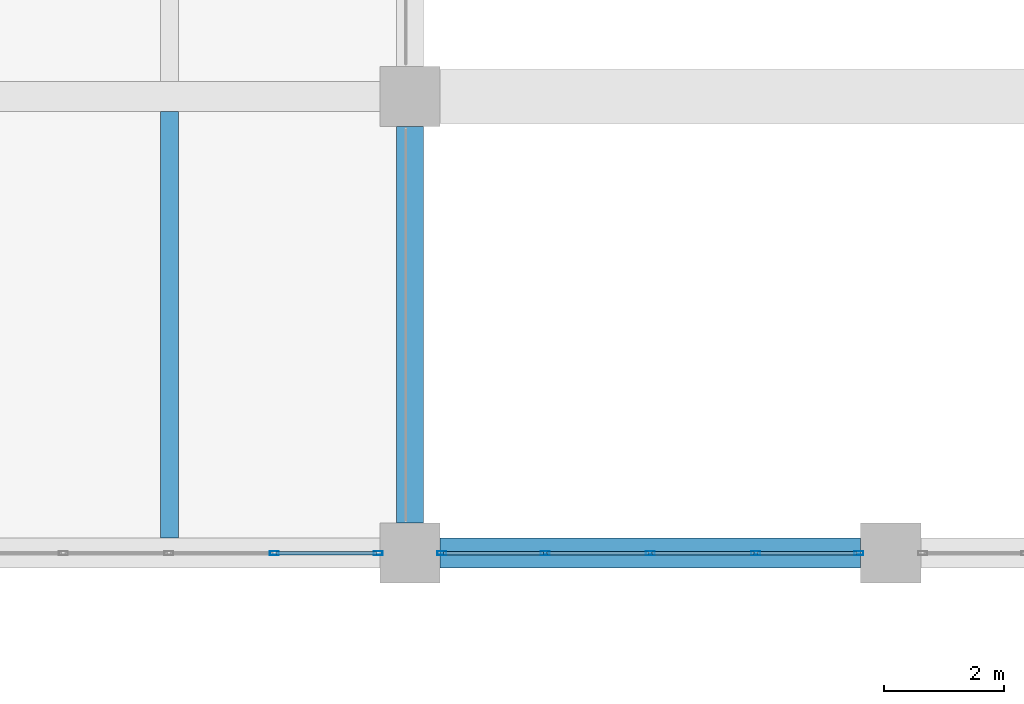
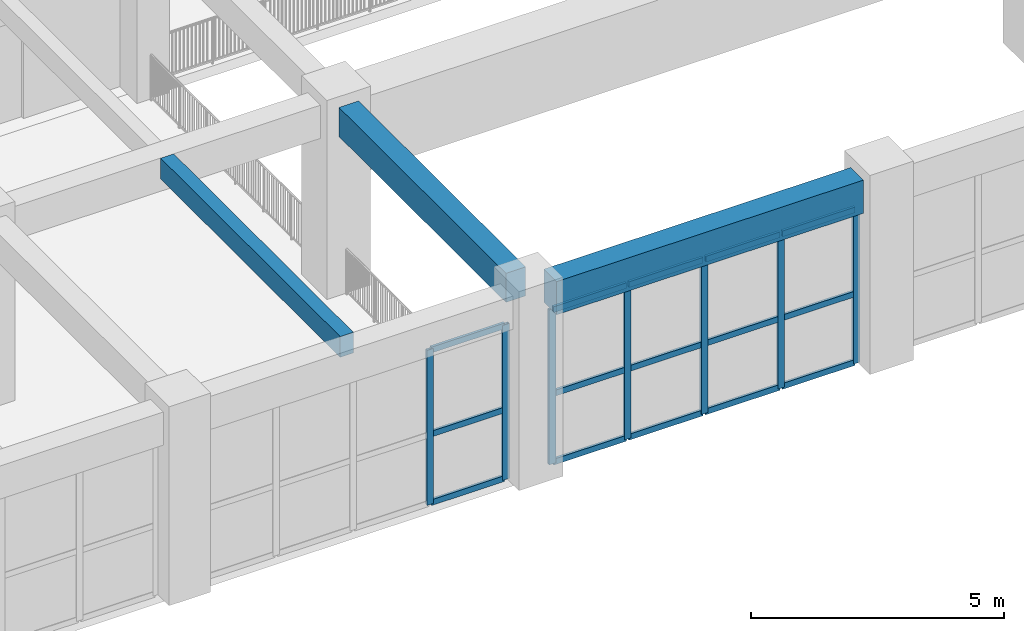
# One storey, part 21 of 101: 22 members, 3 beams, 2 elements without a shape of their own.
"""IFC4 building model written with IfcOpenShell, lengths in metres."""

from ifc_helpers import new_model, si_unit, direction, frame, origin, origin_2d, place, context, subcontext, project, spatial, rectangle, hollow_rectangle, extrude, material, material_profile, profile_set, type_object, element, aggregate, save


model = new_model("IFC4")

# Units and contexts
model_context = context("Model", 3, precision=1e-05, world=origin(), true_north=direction((0.0, 1.0)))
body_context = subcontext(model_context, "Body", "Model", "MODEL_VIEW")
ifc_project = project(units=[si_unit("LENGTHUNIT", "METRE"), si_unit("AREAUNIT", "SQUARE_METRE"), si_unit("VOLUMEUNIT", "CUBIC_METRE"), si_unit("PLANEANGLEUNIT", "RADIAN"), si_unit("MASSUNIT", "GRAM", prefix="KILO")], contexts=[model_context])

# Site, building, storey
site_placement = place(None, origin())
site = spatial("IfcSite", under=ifc_project, at=site_placement, CompositionType="ELEMENT")
building_placement = place(site_placement, origin())
building = spatial("IfcBuilding", under=site, at=building_placement, Name="Zantavel Square City Hall", CompositionType="ELEMENT")
storey_placement = place(building_placement, frame((0.0, 0.0, 5.39990234375)))
storey = spatial("IfcBuildingStorey", under=building, at=storey_placement, Name="L02", CompositionType="ELEMENT", Elevation=5.39990234375)

# Curtain wall, members
ifc_material_1 = material(Name="Anodised aluminium 6063-T6", Category="aluminium")
curtain_wall_type_1 = type_object("IfcCurtainWallType", Name="Curtain Wall TRV1 7000x3740", PredefinedType="USERDEFINED", material=ifc_material_1)
curtain_wall_1_placement = place(storey_placement, origin())
curtain_wall_1 = element("IfcCurtainWall", 1, at=curtain_wall_1_placement, inside=storey, type_object=curtain_wall_type_1, Name="L02 Glazed Curtain Wall CW-L02-048", ObjectType="GLAZED CURTAIN WALL", PredefinedType="USERDEFINED")
ifc_material_profile_1 = material_profile(ifc_material_1, hollow_rectangle(XDim=0.06494140625, YDim=0.14990234375, WallThickness=0.00390625, at=origin_2d()), Name="ALU 65x150x4")
ifc_profile_set_1 = profile_set([ifc_material_profile_1], Name="Anodised aluminium 6063-T6")
member_type_1 = type_object("IfcMemberType", Name="CW Mullion ALU 65x150x4", PredefinedType="MULLION", material=ifc_profile_set_1)
member_1_placement = place(storey_placement, frame((79.469970703125, 30.39990234375, 0.0), z_axis=(0.0, 0.0, 1.0), x_axis=(0.0, -1.0, 0.0)))
member_1 = element("IfcMember", 2, at=member_1_placement, type_object=member_type_1, Name="CW-048 mullion 1", PredefinedType="MULLION", context=body_context, shape_type="SweptSolid", body=[
    extrude(hollow_rectangle(XDim=0.06494140625, YDim=0.14990234375, WallThickness=0.00390625, at=origin_2d()), origin(), (0.0, 0.0, 1.0), 3.739990234375),
])
member_2_placement = place(storey_placement, frame((77.75, 30.39990234375, 0.0), z_axis=(0.0, 0.0, 1.0), x_axis=(0.0, -1.0, 0.0)))
member_2 = element("IfcMember", 3, at=member_2_placement, type_object=member_type_1, Name="CW-048 mullion 2", PredefinedType="MULLION", context=body_context, shape_type="SweptSolid", body=[
    extrude(hollow_rectangle(XDim=0.06494140625, YDim=0.14990234375, WallThickness=0.00390625, at=origin_2d()), origin(), (0.0, 0.0, 1.0), 3.739990234375),
])
member_3_placement = place(storey_placement, frame((76.0, 30.39990234375, 0.0), z_axis=(0.0, 0.0, 1.0), x_axis=(0.0, -1.0, 0.0)))
member_3 = element("IfcMember", 4, at=member_3_placement, type_object=member_type_1, Name="CW-048 mullion 3", PredefinedType="MULLION", context=body_context, shape_type="SweptSolid", body=[
    extrude(hollow_rectangle(XDim=0.06494140625, YDim=0.14990234375, WallThickness=0.00390625, at=origin_2d()), origin(), (0.0, 0.0, 1.0), 3.739990234375),
])
member_4_placement = place(storey_placement, frame((74.25, 30.39990234375, 0.0), z_axis=(0.0, 0.0, 1.0), x_axis=(0.0, -1.0, 0.0)))
member_4 = element("IfcMember", 5, at=member_4_placement, type_object=member_type_1, Name="CW-048 mullion 4", PredefinedType="MULLION", context=body_context, shape_type="SweptSolid", body=[
    extrude(hollow_rectangle(XDim=0.06494140625, YDim=0.14990234375, WallThickness=0.00390625, at=origin_2d()), origin(), (0.0, 0.0, 1.0), 3.739990234375),
])
member_5_placement = place(storey_placement, frame((72.530029296875, 30.39990234375, 0.0), z_axis=(0.0, 0.0, 1.0), x_axis=(0.0, -1.0, 0.0)))
member_5 = element("IfcMember", 6, at=member_5_placement, type_object=member_type_1, Name="CW-048 mullion 5", PredefinedType="MULLION", context=body_context, shape_type="SweptSolid", body=[
    extrude(hollow_rectangle(XDim=0.06494140625, YDim=0.14990234375, WallThickness=0.00390625, at=origin_2d()), origin(), (0.0, 0.0, 1.0), 3.739990234375),
])

curtain_wall_type_2 = type_object("IfcCurtainWallType", Name="Curtain Wall TRV1 7025x3740", PredefinedType="USERDEFINED", material=ifc_material_1)
curtain_wall_2_placement = place(storey_placement, origin())
curtain_wall_2 = element("IfcCurtainWall", 7, at=curtain_wall_2_placement, inside=storey, type_object=curtain_wall_type_2, Name="L02 Glazed Curtain Wall CW-L02-049", ObjectType="GLAZED CURTAIN WALL", PredefinedType="USERDEFINED")
member_6_placement = place(storey_placement, frame((71.469970703125, 30.39990234375, 0.0), z_axis=(0.0, 0.0, 1.0), x_axis=(0.0, -1.0, 0.0)))
member_6 = element("IfcMember", 8, at=member_6_placement, type_object=member_type_1, Name="CW-049 mullion 1", PredefinedType="MULLION", context=body_context, shape_type="SweptSolid", body=[
    extrude(hollow_rectangle(XDim=0.06494140625, YDim=0.14990234375, WallThickness=0.00390625, at=origin_2d()), origin(), (0.0, 0.0, 1.0), 3.739990234375),
])
member_7_placement = place(storey_placement, frame((69.74365234375, 30.39990234375, 0.0), z_axis=(0.0, 0.0, 1.0), x_axis=(0.0, -1.0, 0.0)))
member_7 = element("IfcMember", 9, at=member_7_placement, type_object=member_type_1, Name="CW-049 mullion 2", PredefinedType="MULLION", context=body_context, shape_type="SweptSolid", body=[
    extrude(hollow_rectangle(XDim=0.06494140625, YDim=0.14990234375, WallThickness=0.00390625, at=origin_2d()), origin(), (0.0, 0.0, 1.0), 3.739990234375),
])

# Member
ifc_material_profile_2 = material_profile(ifc_material_1, hollow_rectangle(XDim=0.06005859375, YDim=0.139892578125, WallThickness=0.00390625, at=origin_2d()), Name="ALU 60x140x4")
ifc_profile_set_2 = profile_set([ifc_material_profile_2], Name="Anodised aluminium 6063-T6")
member_type_2 = type_object("IfcMemberType", Name="CW Transom ALU 60x140x4", PredefinedType="USERDEFINED", material=ifc_profile_set_2)
member_8_placement = place(storey_placement, frame((79.43994140625, 30.39990234375, 0.030029296875), z_axis=(-1.0, 0.0, 0.0), x_axis=(0.0, -1.0, 0.0)))
member_8 = element("IfcMember", 10, at=member_8_placement, type_object=member_type_2, Name="CW-048 transom 1.1", ObjectType="TRANSOM", PredefinedType="USERDEFINED", context=body_context, shape_type="SweptSolid", body=[
    extrude(hollow_rectangle(XDim=0.06005859375, YDim=0.139892578125, WallThickness=0.00390625, at=origin_2d()), origin(), (0.0, 0.0, 1.0), 1.659912109375),
])

member_9_placement = place(storey_placement, frame((79.43994140625, 30.39990234375, 1.68310546875), z_axis=(-1.0, 0.0, 0.0), x_axis=(0.0, -1.0, 0.0)))
member_9 = element("IfcMember", 11, at=member_9_placement, type_object=member_type_2, Name="CW-048 transom 1.2", ObjectType="TRANSOM", PredefinedType="USERDEFINED", context=body_context, shape_type="SweptSolid", body=[
    extrude(hollow_rectangle(XDim=0.06005859375, YDim=0.139892578125, WallThickness=0.00390625, at=origin_2d()), origin(), (0.0, 0.0, 1.0), 1.659912109375),
])

member_10_placement = place(storey_placement, frame((79.43994140625, 30.39990234375, 3.710205078125), z_axis=(-1.0, 0.0, 0.0), x_axis=(0.0, -1.0, 0.0)))
member_10 = element("IfcMember", 12, at=member_10_placement, type_object=member_type_2, Name="CW-048 transom 1.3", ObjectType="TRANSOM", PredefinedType="USERDEFINED", context=body_context, shape_type="SweptSolid", body=[
    extrude(hollow_rectangle(XDim=0.06005859375, YDim=0.139892578125, WallThickness=0.00390625, at=origin_2d()), origin(), (0.0, 0.0, 1.0), 1.659912109375),
])

member_11_placement = place(storey_placement, frame((77.719970703125, 30.39990234375, 0.030029296875), z_axis=(-1.0, 0.0, 0.0), x_axis=(0.0, -1.0, 0.0)))
member_11 = element("IfcMember", 13, at=member_11_placement, type_object=member_type_2, Name="CW-048 transom 2.1", ObjectType="TRANSOM", PredefinedType="USERDEFINED", context=body_context, shape_type="SweptSolid", body=[
    extrude(hollow_rectangle(XDim=0.06005859375, YDim=0.139892578125, WallThickness=0.00390625, at=origin_2d()), origin(), (0.0, 0.0, 1.0), 1.68994140625),
])

member_12_placement = place(storey_placement, frame((77.719970703125, 30.39990234375, 1.68310546875), z_axis=(-1.0, 0.0, 0.0), x_axis=(0.0, -1.0, 0.0)))
member_12 = element("IfcMember", 14, at=member_12_placement, type_object=member_type_2, Name="CW-048 transom 2.2", ObjectType="TRANSOM", PredefinedType="USERDEFINED", context=body_context, shape_type="SweptSolid", body=[
    extrude(hollow_rectangle(XDim=0.06005859375, YDim=0.139892578125, WallThickness=0.00390625, at=origin_2d()), origin(), (0.0, 0.0, 1.0), 1.68994140625),
])

member_13_placement = place(storey_placement, frame((77.719970703125, 30.39990234375, 3.710205078125), z_axis=(-1.0, 0.0, 0.0), x_axis=(0.0, -1.0, 0.0)))
member_13 = element("IfcMember", 15, at=member_13_placement, type_object=member_type_2, Name="CW-048 transom 2.3", ObjectType="TRANSOM", PredefinedType="USERDEFINED", context=body_context, shape_type="SweptSolid", body=[
    extrude(hollow_rectangle(XDim=0.06005859375, YDim=0.139892578125, WallThickness=0.00390625, at=origin_2d()), origin(), (0.0, 0.0, 1.0), 1.68994140625),
])

member_14_placement = place(storey_placement, frame((75.969970703125, 30.39990234375, 0.030029296875), z_axis=(-1.0, 0.0, 0.0), x_axis=(0.0, -1.0, 0.0)))
member_14 = element("IfcMember", 16, at=member_14_placement, type_object=member_type_2, Name="CW-048 transom 3.1", ObjectType="TRANSOM", PredefinedType="USERDEFINED", context=body_context, shape_type="SweptSolid", body=[
    extrude(hollow_rectangle(XDim=0.06005859375, YDim=0.139892578125, WallThickness=0.00390625, at=origin_2d()), origin(), (0.0, 0.0, 1.0), 1.68994140625),
])

member_15_placement = place(storey_placement, frame((75.969970703125, 30.39990234375, 1.68310546875), z_axis=(-1.0, 0.0, 0.0), x_axis=(0.0, -1.0, 0.0)))
member_15 = element("IfcMember", 17, at=member_15_placement, type_object=member_type_2, Name="CW-048 transom 3.2", ObjectType="TRANSOM", PredefinedType="USERDEFINED", context=body_context, shape_type="SweptSolid", body=[
    extrude(hollow_rectangle(XDim=0.06005859375, YDim=0.139892578125, WallThickness=0.00390625, at=origin_2d()), origin(), (0.0, 0.0, 1.0), 1.68994140625),
])

member_16_placement = place(storey_placement, frame((75.969970703125, 30.39990234375, 3.710205078125), z_axis=(-1.0, 0.0, 0.0), x_axis=(0.0, -1.0, 0.0)))
member_16 = element("IfcMember", 18, at=member_16_placement, type_object=member_type_2, Name="CW-048 transom 3.3", ObjectType="TRANSOM", PredefinedType="USERDEFINED", context=body_context, shape_type="SweptSolid", body=[
    extrude(hollow_rectangle(XDim=0.06005859375, YDim=0.139892578125, WallThickness=0.00390625, at=origin_2d()), origin(), (0.0, 0.0, 1.0), 1.68994140625),
])

member_17_placement = place(storey_placement, frame((74.219970703125, 30.39990234375, 0.030029296875), z_axis=(-1.0, 0.0, 0.0), x_axis=(0.0, -1.0, 0.0)))
member_17 = element("IfcMember", 19, at=member_17_placement, type_object=member_type_2, Name="CW-048 transom 4.1", ObjectType="TRANSOM", PredefinedType="USERDEFINED", context=body_context, shape_type="SweptSolid", body=[
    extrude(hollow_rectangle(XDim=0.06005859375, YDim=0.139892578125, WallThickness=0.00390625, at=origin_2d()), origin(), (0.0, 0.0, 1.0), 1.659912109375),
])

member_18_placement = place(storey_placement, frame((74.219970703125, 30.39990234375, 1.68310546875), z_axis=(-1.0, 0.0, 0.0), x_axis=(0.0, -1.0, 0.0)))
member_18 = element("IfcMember", 20, at=member_18_placement, type_object=member_type_2, Name="CW-048 transom 4.2", ObjectType="TRANSOM", PredefinedType="USERDEFINED", context=body_context, shape_type="SweptSolid", body=[
    extrude(hollow_rectangle(XDim=0.06005859375, YDim=0.139892578125, WallThickness=0.00390625, at=origin_2d()), origin(), (0.0, 0.0, 1.0), 1.659912109375),
])

member_19_placement = place(storey_placement, frame((74.219970703125, 30.39990234375, 3.710205078125), z_axis=(-1.0, 0.0, 0.0), x_axis=(0.0, -1.0, 0.0)))
member_19 = element("IfcMember", 21, at=member_19_placement, type_object=member_type_2, Name="CW-048 transom 4.3", ObjectType="TRANSOM", PredefinedType="USERDEFINED", context=body_context, shape_type="SweptSolid", body=[
    extrude(hollow_rectangle(XDim=0.06005859375, YDim=0.139892578125, WallThickness=0.00390625, at=origin_2d()), origin(), (0.0, 0.0, 1.0), 1.659912109375),
])

aggregate(curtain_wall_1, [member_1, member_2, member_3, member_4, member_5, member_8, member_9, member_10, member_11, member_12, member_13, member_14, member_15, member_16, member_17, member_18, member_19])

member_20_placement = place(storey_placement, frame((71.43994140625, 30.39990234375, 0.030029296875), z_axis=(-1.0, 0.0, 0.0), x_axis=(0.0, -1.0, 0.0)))
member_20 = element("IfcMember", 22, at=member_20_placement, type_object=member_type_2, Name="CW-049 transom 1.1", ObjectType="TRANSOM", PredefinedType="USERDEFINED", context=body_context, shape_type="SweptSolid", body=[
    extrude(hollow_rectangle(XDim=0.06005859375, YDim=0.139892578125, WallThickness=0.00390625, at=origin_2d()), origin(), (0.0, 0.0, 1.0), 1.666259765625),
])

member_21_placement = place(storey_placement, frame((71.43994140625, 30.39990234375, 1.68310546875), z_axis=(-1.0, 0.0, 0.0), x_axis=(0.0, -1.0, 0.0)))
member_21 = element("IfcMember", 23, at=member_21_placement, type_object=member_type_2, Name="CW-049 transom 1.2", ObjectType="TRANSOM", PredefinedType="USERDEFINED", context=body_context, shape_type="SweptSolid", body=[
    extrude(hollow_rectangle(XDim=0.06005859375, YDim=0.139892578125, WallThickness=0.00390625, at=origin_2d()), origin(), (0.0, 0.0, 1.0), 1.666259765625),
])

member_22_placement = place(storey_placement, frame((71.43994140625, 30.39990234375, 3.710205078125), z_axis=(-1.0, 0.0, 0.0), x_axis=(0.0, -1.0, 0.0)))
member_22 = element("IfcMember", 24, at=member_22_placement, type_object=member_type_2, Name="CW-049 transom 1.3", ObjectType="TRANSOM", PredefinedType="USERDEFINED", context=body_context, shape_type="SweptSolid", body=[
    extrude(hollow_rectangle(XDim=0.06005859375, YDim=0.139892578125, WallThickness=0.00390625, at=origin_2d()), origin(), (0.0, 0.0, 1.0), 1.666259765625),
])

aggregate(curtain_wall_2, [member_6, member_7, member_20, member_21, member_22])

# Beams
ifc_material_2 = material(Name="Concrete C35/45", Category="concrete")
ifc_material_profile_3 = material_profile(ifc_material_2, rectangle(XDim=0.300048828125, YDim=0.5, at=origin_2d()), Name="RC 300x500")
ifc_profile_set_3 = profile_set([ifc_material_profile_3], Name="Concrete C35/45")
beam_type_1 = type_object("IfcBeamType", Name="Floor Joist RC 300x500 C35/45", PredefinedType="JOIST", material=ifc_profile_set_3)
beam_1_placement = place(storey_placement, frame((68.0, 30.64990234375, 4.2900390625), z_axis=(0.0, 1.0, 0.0), x_axis=(-1.0, 0.0, 0.0)))
element("IfcBeam", 25, at=beam_1_placement, inside=storey, type_object=beam_type_1, Name="L02 Floor Joist JST-L02-0680-0304", PredefinedType="JOIST", context=body_context, shape_type="SweptSolid", body=[
    extrude(rectangle(XDim=0.300048828125, YDim=0.5, at=origin_2d()), origin(), (0.0, 0.0, 1.0), 7.10009765625),
])
ifc_material_profile_4 = material_profile(ifc_material_2, rectangle(XDim=0.449951171875, YDim=0.699951171875, at=origin_2d()), Name="RC 450x700")
ifc_profile_set_4 = profile_set([ifc_material_profile_4], Name="Concrete C35/45")
beam_type_2 = type_object("IfcBeamType", Name="Primary Girder RC 450x700 C35/45", PredefinedType="BEAM", material=ifc_profile_set_4)
beam_2_placement = place(storey_placement, frame((72.0, 30.89990234375, 4.190185546875), z_axis=(0.0, 1.0, 0.0), x_axis=(-1.0, 0.0, 0.0)))
element("IfcBeam", 26, at=beam_2_placement, inside=storey, type_object=beam_type_2, Name="L02 Beam BMY-L02-0720-0304", PredefinedType="BEAM", context=body_context, shape_type="SweptSolid", body=[
    extrude(rectangle(XDim=0.449951171875, YDim=0.699951171875, at=origin_2d()), origin(), (0.0, 0.0, 1.0), 6.60009765625),
])
ifc_material_profile_5 = material_profile(ifc_material_2, rectangle(XDim=0.5, YDim=0.800048828125, at=origin_2d()), Name="RC 500x800")
ifc_profile_set_5 = profile_set([ifc_material_profile_5], Name="Concrete C35/45")
beam_type_3 = type_object("IfcBeamType", Name="Primary Girder RC 500x800 C35/45", PredefinedType="BEAM", material=ifc_profile_set_5)
beam_3_placement = place(storey_placement, frame((72.5, 30.39990234375, 4.14013671875), z_axis=(1.0, 0.0, 0.0), x_axis=(0.0, 1.0, 0.0)))
element("IfcBeam", 27, at=beam_3_placement, inside=storey, type_object=beam_type_3, Name="L02 Girder BMX-L02-0720-0304", PredefinedType="BEAM", context=body_context, shape_type="SweptSolid", body=[
    extrude(rectangle(XDim=0.5, YDim=0.800048828125, at=origin_2d()), origin(), (0.0, 0.0, 1.0), 7.0),
])

save(model, "model.ifc")
